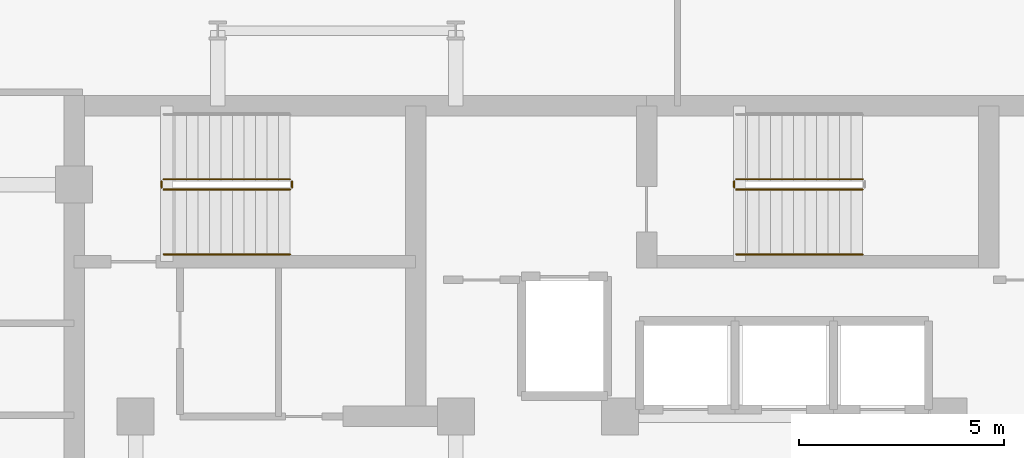
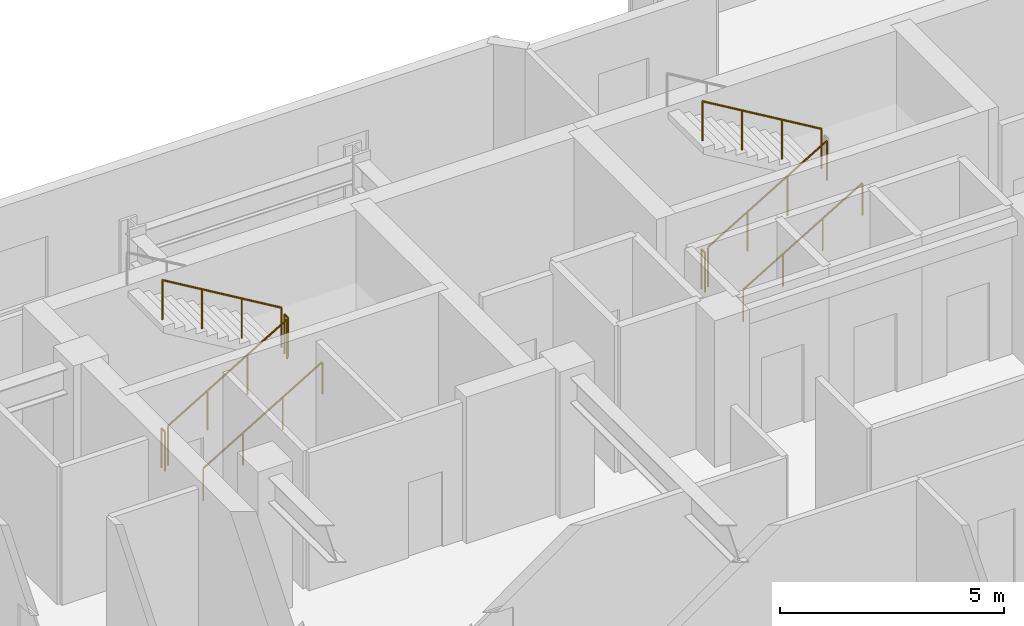
# One storey, part 9 of 11: 9 railings.
"""IFC4 building model written with IfcOpenShell, lengths in metres."""

from ifc_helpers import new_model, si_unit, direction, frame, origin, origin_2d, place, context, subcontext, project, spatial, circle, extrude, material, type_object, element, save


model = new_model("IFC4")

# Units and contexts
model_context = context("Model", 3, precision=1e-05, world=origin(), true_north=direction((0.0, 1.0)))
body_context = subcontext(model_context, "Body", "Model", "MODEL_VIEW")
ifc_project = project(units=[si_unit("LENGTHUNIT", "METRE"), si_unit("AREAUNIT", "SQUARE_METRE"), si_unit("VOLUMEUNIT", "CUBIC_METRE"), si_unit("PLANEANGLEUNIT", "RADIAN"), si_unit("MASSUNIT", "GRAM", prefix="KILO")], contexts=[model_context])

# Site, building, storey
site_placement = place(None, origin())
site = spatial("IfcSite", under=ifc_project, at=site_placement, CompositionType="ELEMENT")
building_placement = place(site_placement, origin())
building = spatial("IfcBuilding", under=site, at=building_placement, Name="Kestravale Grand Hotel", CompositionType="ELEMENT")
storey_placement = place(building_placement, frame((0.0, 0.0, 249.39990234375)))
storey = spatial("IfcBuildingStorey", under=building, at=storey_placement, Name="L62", CompositionType="ELEMENT", Elevation=249.39990234375)

# Railings
ifc_material_1 = material(Name="Painted tubular steel stair well guard", Category="steel")
railing_type_1 = type_object("IfcRailingType", Name="RL-ST-GRD1100", PredefinedType="GUARDRAIL", material=ifc_material_1)
railing_1_placement = place(storey_placement, frame((24.080078125, 38.280029296875, 0.166748046875)))
element("IfcRailing", 1, at=railing_1_placement, inside=storey, type_object=railing_type_1, Name="L62 ST-1 stair guard 1", PredefinedType="GUARDRAIL", context=body_context, shape_type="SweptSolid", body=[
    extrude(circle(Radius=0.02392578125, at=origin_2d()), frame((0.0, 0.0, 1.076171875), z_axis=(0.859290745958, 0.0, 0.51148745235), x_axis=(0.0, 1.0, 0.0)), (0.0, 0.0, 1.0), 3.584228515625),
    extrude(circle(Radius=0.02099609375, at=origin_2d()), origin(), (0.0, 0.0, 1.0), 1.052001953125),
    extrude(circle(Radius=0.02099609375, at=origin_2d()), frame((1.026611328125, 0.0, 0.611083984375)), (0.0, 0.0, 1.0), 1.052001953125),
    extrude(circle(Radius=0.02099609375, at=origin_2d()), frame((2.05322265625, 0.0, 1.22216796875)), (0.0, 0.0, 1.0), 1.052001953125),
    extrude(circle(Radius=0.02099609375, at=origin_2d()), frame((3.079833984375, 0.0, 1.833251953125)), (0.0, 0.0, 1.0), 1.052001953125),
])
railing_2_placement = place(storey_placement, frame((27.2099609375, 38.330078125, 2.0)))
element("IfcRailing", 2, at=railing_2_placement, inside=storey, type_object=railing_type_1, Name="L62 ST-1 stair guard 2", PredefinedType="GUARDRAIL", context=body_context, shape_type="SweptSolid", body=[
    extrude(circle(Radius=0.02392578125, at=origin_2d()), frame((0.0, 0.0, 1.076171875), z_axis=(0.0, 1.0, 0.0), x_axis=(-1.0, 0.0, 0.0)), (0.0, 0.0, 1.0), 0.14990234375),
    extrude(circle(Radius=0.02099609375, at=origin_2d()), origin(), (0.0, 0.0, 1.0), 1.052001953125),
    extrude(circle(Radius=0.02099609375, at=origin_2d()), frame((0.0, 0.14990234375, 0.0)), (0.0, 0.0, 1.0), 1.052001953125),
])
railing_3_placement = place(storey_placement, frame((27.159912109375, 38.530029296875, 2.166748046875)))
element("IfcRailing", 3, at=railing_3_placement, inside=storey, type_object=railing_type_1, Name="L62 ST-1 stair guard 3", PredefinedType="GUARDRAIL", context=body_context, shape_type="SweptSolid", body=[
    extrude(circle(Radius=0.02392578125, at=origin_2d()), frame((0.0, 0.0, 1.076171875), z_axis=(-0.859290745958, 0.0, 0.51148745235), x_axis=(0.0, -1.0, 0.0)), (0.0, 0.0, 1.0), 3.584228515625),
    extrude(circle(Radius=0.02099609375, at=origin_2d()), origin(), (0.0, 0.0, 1.0), 1.052001953125),
    extrude(circle(Radius=0.02099609375, at=origin_2d()), frame((-1.026611328125, 0.0, 0.611083984375)), (0.0, 0.0, 1.0), 1.052001953125),
    extrude(circle(Radius=0.02099609375, at=origin_2d()), frame((-2.05322265625, 0.0, 1.22216796875)), (0.0, 0.0, 1.0), 1.052001953125),
    extrude(circle(Radius=0.02099609375, at=origin_2d()), frame((-3.079833984375, 0.0, 1.833251953125)), (0.0, 0.0, 1.0), 1.052001953125),
])
railing_4_placement = place(storey_placement, frame((24.030029296875, 38.330078125, 0.0)))
element("IfcRailing", 4, at=railing_4_placement, inside=storey, type_object=railing_type_1, Name="L62 ST-1 stair guard 4", PredefinedType="GUARDRAIL", context=body_context, shape_type="SweptSolid", body=[
    extrude(circle(Radius=0.02392578125, at=origin_2d()), frame((0.0, 0.0, 1.076171875), z_axis=(0.0, 1.0, 0.0), x_axis=(-1.0, 0.0, 0.0)), (0.0, 0.0, 1.0), 0.14990234375),
    extrude(circle(Radius=0.02099609375, at=origin_2d()), origin(), (0.0, 0.0, 1.0), 1.052001953125),
    extrude(circle(Radius=0.02099609375, at=origin_2d()), frame((0.0, 0.14990234375, 0.0)), (0.0, 0.0, 1.0), 1.052001953125),
])
railing_5_placement = place(storey_placement, frame((38.030029296875, 38.280029296875, 0.166748046875)))
element("IfcRailing", 5, at=railing_5_placement, inside=storey, type_object=railing_type_1, Name="L62 ST-2 stair guard 1", PredefinedType="GUARDRAIL", context=body_context, shape_type="SweptSolid", body=[
    extrude(circle(Radius=0.02392578125, at=origin_2d()), frame((0.0, 0.0, 1.076171875), z_axis=(0.859308565015, 0.0, 0.511457515432), x_axis=(0.0, 1.0, 0.0)), (0.0, 0.0, 1.0), 3.58447265625),
    extrude(circle(Radius=0.02099609375, at=origin_2d()), origin(), (0.0, 0.0, 1.0), 1.052001953125),
    extrude(circle(Radius=0.02099609375, at=origin_2d()), frame((1.026611328125, 0.0, 0.611083984375)), (0.0, 0.0, 1.0), 1.052001953125),
    extrude(circle(Radius=0.02099609375, at=origin_2d()), frame((2.053466796875, 0.0, 1.22216796875)), (0.0, 0.0, 1.0), 1.052001953125),
    extrude(circle(Radius=0.02099609375, at=origin_2d()), frame((3.080078125, 0.0, 1.833251953125)), (0.0, 0.0, 1.0), 1.052001953125),
])
railing_6_placement = place(storey_placement, frame((41.110107421875, 38.530029296875, 2.166748046875)))
element("IfcRailing", 6, at=railing_6_placement, inside=storey, type_object=railing_type_1, Name="L62 ST-2 stair guard 3", PredefinedType="GUARDRAIL", context=body_context, shape_type="SweptSolid", body=[
    extrude(circle(Radius=0.02392578125, at=origin_2d()), frame((0.0, 0.0, 1.076171875), z_axis=(-0.859308565015, 0.0, 0.511457515432), x_axis=(0.0, -1.0, 0.0)), (0.0, 0.0, 1.0), 3.58447265625),
    extrude(circle(Radius=0.02099609375, at=origin_2d()), origin(), (0.0, 0.0, 1.0), 1.052001953125),
    extrude(circle(Radius=0.02099609375, at=origin_2d()), frame((-1.026611328125, 0.0, 0.611083984375)), (0.0, 0.0, 1.0), 1.052001953125),
    extrude(circle(Radius=0.02099609375, at=origin_2d()), frame((-2.053466796875, 0.0, 1.22216796875)), (0.0, 0.0, 1.0), 1.052001953125),
    extrude(circle(Radius=0.02099609375, at=origin_2d()), frame((-3.080078125, 0.0, 1.833251953125)), (0.0, 0.0, 1.0), 1.052001953125),
])
railing_7_placement = place(storey_placement, frame((37.97998046875, 38.330078125, 0.0)))
element("IfcRailing", 7, at=railing_7_placement, inside=storey, type_object=railing_type_1, Name="L62 ST-2 stair guard 4", PredefinedType="GUARDRAIL", context=body_context, shape_type="SweptSolid", body=[
    extrude(circle(Radius=0.02392578125, at=origin_2d()), frame((0.0, 0.0, 1.076171875), z_axis=(0.0, 1.0, 0.0), x_axis=(-1.0, 0.0, 0.0)), (0.0, 0.0, 1.0), 0.14990234375),
    extrude(circle(Radius=0.02099609375, at=origin_2d()), origin(), (0.0, 0.0, 1.0), 1.052001953125),
    extrude(circle(Radius=0.02099609375, at=origin_2d()), frame((0.0, 0.14990234375, 0.0)), (0.0, 0.0, 1.0), 1.052001953125),
])
ifc_material_2 = material(Name="Brushed stainless steel wall handrail", Category="steel")
railing_type_2 = type_object("IfcRailingType", Name="RL-ST-HND900", PredefinedType="HANDRAIL", material=ifc_material_2)
railing_8_placement = place(storey_placement, frame((24.080078125, 36.699951171875, 0.166748046875)))
element("IfcRailing", 8, at=railing_8_placement, inside=storey, type_object=railing_type_2, Name="L62 ST-1 stair handrail 1", PredefinedType="HANDRAIL", context=body_context, shape_type="SweptSolid", body=[
    extrude(circle(Radius=0.02392578125, at=origin_2d()), frame((0.0, 0.0, 0.8759765625), z_axis=(0.859290745958, 0.0, 0.51148745235), x_axis=(0.0, 1.0, 0.0)), (0.0, 0.0, 1.0), 3.584228515625),
    extrude(circle(Radius=0.02099609375, at=origin_2d()), origin(), (0.0, 0.0, 1.0), 0.851806640625),
    extrude(circle(Radius=0.02099609375, at=origin_2d()), frame((1.026611328125, 0.0, 0.611083984375)), (0.0, 0.0, 1.0), 0.851806640625),
    extrude(circle(Radius=0.02099609375, at=origin_2d()), frame((2.05322265625, 0.0, 1.22216796875)), (0.0, 0.0, 1.0), 0.851806640625),
    extrude(circle(Radius=0.02099609375, at=origin_2d()), frame((3.079833984375, 0.0, 1.833251953125)), (0.0, 0.0, 1.0), 0.851806640625),
])
railing_9_placement = place(storey_placement, frame((38.030029296875, 36.699951171875, 0.166748046875)))
element("IfcRailing", 9, at=railing_9_placement, inside=storey, type_object=railing_type_2, Name="L62 ST-2 stair handrail 1", PredefinedType="HANDRAIL", context=body_context, shape_type="SweptSolid", body=[
    extrude(circle(Radius=0.02392578125, at=origin_2d()), frame((0.0, 0.0, 0.8759765625), z_axis=(0.859308565015, 0.0, 0.511457515432), x_axis=(0.0, 1.0, 0.0)), (0.0, 0.0, 1.0), 3.58447265625),
    extrude(circle(Radius=0.02099609375, at=origin_2d()), origin(), (0.0, 0.0, 1.0), 0.851806640625),
    extrude(circle(Radius=0.02099609375, at=origin_2d()), frame((1.026611328125, 0.0, 0.611083984375)), (0.0, 0.0, 1.0), 0.851806640625),
    extrude(circle(Radius=0.02099609375, at=origin_2d()), frame((2.053466796875, 0.0, 1.22216796875)), (0.0, 0.0, 1.0), 0.851806640625),
    extrude(circle(Radius=0.02099609375, at=origin_2d()), frame((3.080078125, 0.0, 1.833251953125)), (0.0, 0.0, 1.0), 0.851806640625),
])

save(model, "model.ifc")
